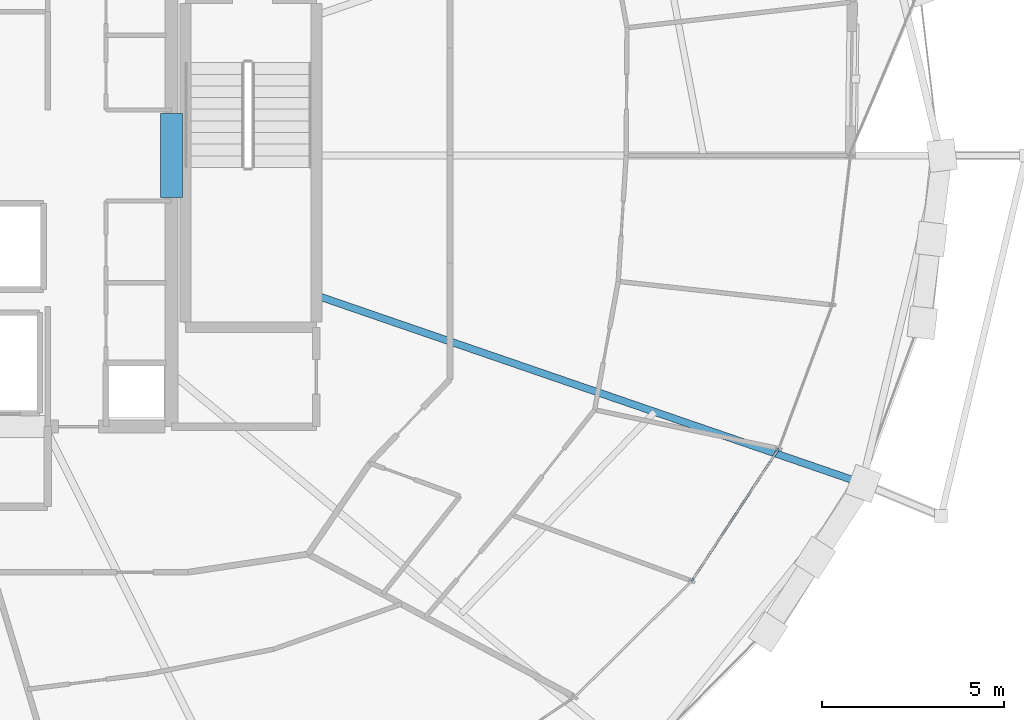
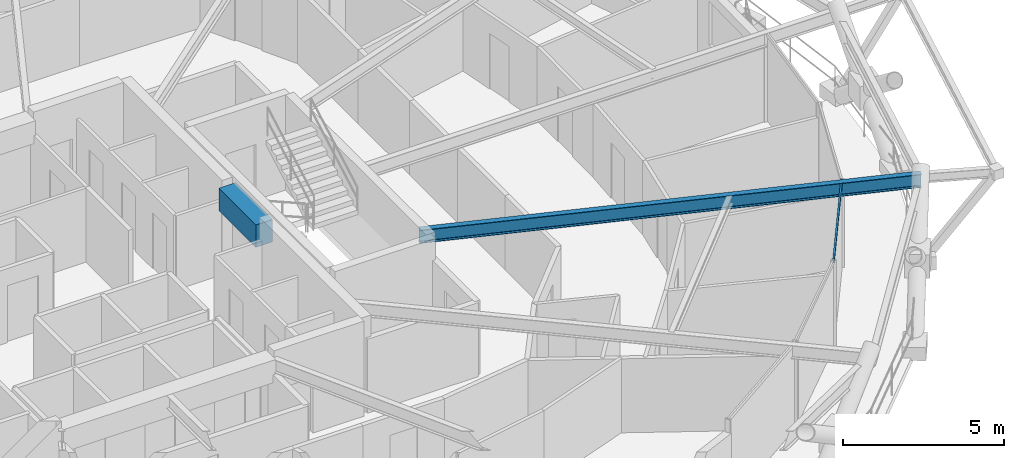
# One storey, part 9 of 22: 2 beams, 1 member, 1 element without a shape of its own.
"""IFC4 building model written with IfcOpenShell, lengths in metres."""

from ifc_helpers import new_model, si_unit, direction, frame, origin, origin_2d, place, context, subcontext, project, spatial, rectangle, hollow_rectangle, i_section, extrude, material, layer, layer_set, material_profile, profile_set, type_object, element, aggregate, save


model = new_model("IFC4")

# Units and contexts
model_context = context("Model", 3, precision=1e-05, world=origin(), true_north=direction((0.0, 1.0)))
body_context = subcontext(model_context, "Body", "Model", "MODEL_VIEW")
ifc_project = project(units=[si_unit("LENGTHUNIT", "METRE"), si_unit("AREAUNIT", "SQUARE_METRE"), si_unit("VOLUMEUNIT", "CUBIC_METRE"), si_unit("PLANEANGLEUNIT", "RADIAN"), si_unit("MASSUNIT", "GRAM", prefix="KILO")], contexts=[model_context])

# Site, building, storey
site_placement = place(None, origin())
site = spatial("IfcSite", under=ifc_project, at=site_placement, CompositionType="ELEMENT")
building_placement = place(site_placement, origin())
building = spatial("IfcBuilding", under=site, at=building_placement, Name="Veldorina Hangang Commons", CompositionType="ELEMENT")
storey_placement = place(building_placement, frame((0.0, 0.0, 146.0)))
storey = spatial("IfcBuildingStorey", under=building, at=storey_placement, Name="L37", CompositionType="ELEMENT", Elevation=146.0)

# Beams
ifc_material_1 = material(Name="Concrete C60/75", Category="concrete")
ifc_material_profile_1 = material_profile(ifc_material_1, rectangle(XDim=0.60009765625, YDim=0.85009765625, at=origin_2d()), Name="RC-CB-600x850")
ifc_profile_set_1 = profile_set([ifc_material_profile_1], Name="Concrete C60/75")
beam_type_1 = type_object("IfcBeamType", Name="BM-CB850", PredefinedType="LINTEL", material=ifc_profile_set_1)
beam_1_placement = place(storey_placement, frame((39.199951171875, 22.85009765625, 2.925048828125), z_axis=(0.0, 1.0, 0.0), x_axis=(-1.0, 0.0, 0.0)))
element("IfcBeam", 1, at=beam_1_placement, inside=storey, type_object=beam_type_1, Name="L37 E core coupling lintel beam", PredefinedType="LINTEL", context=body_context, shape_type="SweptSolid", body=[
    extrude(rectangle(XDim=0.60009765625, YDim=0.85009765625, at=origin_2d()), origin(), (0.0, 0.0, 1.0), 2.2998046875),
])
ifc_material_2 = material(Name="Steel SM420-TMC", Category="steel")
ifc_material_profile_2 = material_profile(ifc_material_2, i_section(OverallWidth=0.199951171875, OverallDepth=0.5, WebThickness=0.010009765625, FlangeThickness=0.01611328125, FilletRadius=0.01611328125, at=origin_2d()), Name="H-500x200x10x16")
ifc_profile_set_2 = profile_set([ifc_material_profile_2], Name="Steel SM420-TMC")
beam_type_2 = type_object("IfcBeamType", Name="BM-FG500", PredefinedType="BEAM", material=ifc_profile_set_2)
beam_2_placement = place(storey_placement, frame((43.179931640625, 20.153564453125, 3.10009765625), z_axis=(0.945598858352, -0.32533490296, 0.0), x_axis=(0.32533490296, 0.945598858352, 0.0)))
element("IfcBeam", 2, at=beam_2_placement, inside=storey, type_object=beam_type_2, Name="L37 radial floor girder 16", PredefinedType="BEAM", context=body_context, shape_type="SweptSolid", body=[
    extrude(i_section(OverallWidth=0.199951171875, OverallDepth=0.5, WebThickness=0.010009765625, FlangeThickness=0.01611328125, FilletRadius=0.01611328125, at=origin_2d()), origin(), (0.0, 0.0, 1.0), 15.858154296875),
])

# Curtain wall, member
ifc_material_3 = material(Name="Glass Low-E Triple IGU", Category="glass")
ifc_layer = layer(ifc_material_3, 0.179931640625)
ifc_layer_set = layer_set([ifc_layer], Name="Glass Low-E Triple IGU")
curtain_wall_type = type_object("IfcCurtainWallType", Name="CW-SYS-Z2", PredefinedType="NOTDEFINED", material=ifc_layer_set)
curtain_wall_placement = place(storey_placement, origin())
curtain_wall = element("IfcCurtainWall", 3, at=curtain_wall_placement, inside=storey, type_object=curtain_wall_type, Name="L37 unitised curtain wall CW-L37-R2", PredefinedType="NOTDEFINED")
ifc_material_4 = material(Name="Aluminium Anodized AA6063-T6", Category="aluminium")
ifc_material_profile_3 = material_profile(ifc_material_4, hollow_rectangle(XDim=0.06005859375, YDim=0.139892578125, WallThickness=0.00341796875, at=origin_2d()), Name="ALU-RHS-140x60x3.5")
ifc_profile_set_3 = profile_set([ifc_material_profile_3], Name="Aluminium Anodized AA6063-T6")
member_type = type_object("IfcMemberType", Name="CW-TRN-140", PredefinedType="USERDEFINED", material=ifc_profile_set_3)
member_placement = place(storey_placement, frame((53.493896484375, 12.311279296875, 3.27001953125), z_axis=(0.548977476656, 0.835837143303, 0.0), x_axis=(-0.835837143303, 0.548977476656, 0.0)))
member = element("IfcMember", 4, at=member_placement, type_object=member_type, Name="CW-L37-R2 facet 3 transom 1", ObjectType="TRANSOM", PredefinedType="USERDEFINED", context=body_context, shape_type="SweptSolid", body=[
    extrude(hollow_rectangle(XDim=0.06005859375, YDim=0.139892578125, WallThickness=0.00341796875, at=origin_2d()), origin(), (0.0, 0.0, 1.0), 4.3515625),
])
aggregate(curtain_wall, [member])

save(model, "model.ifc")
